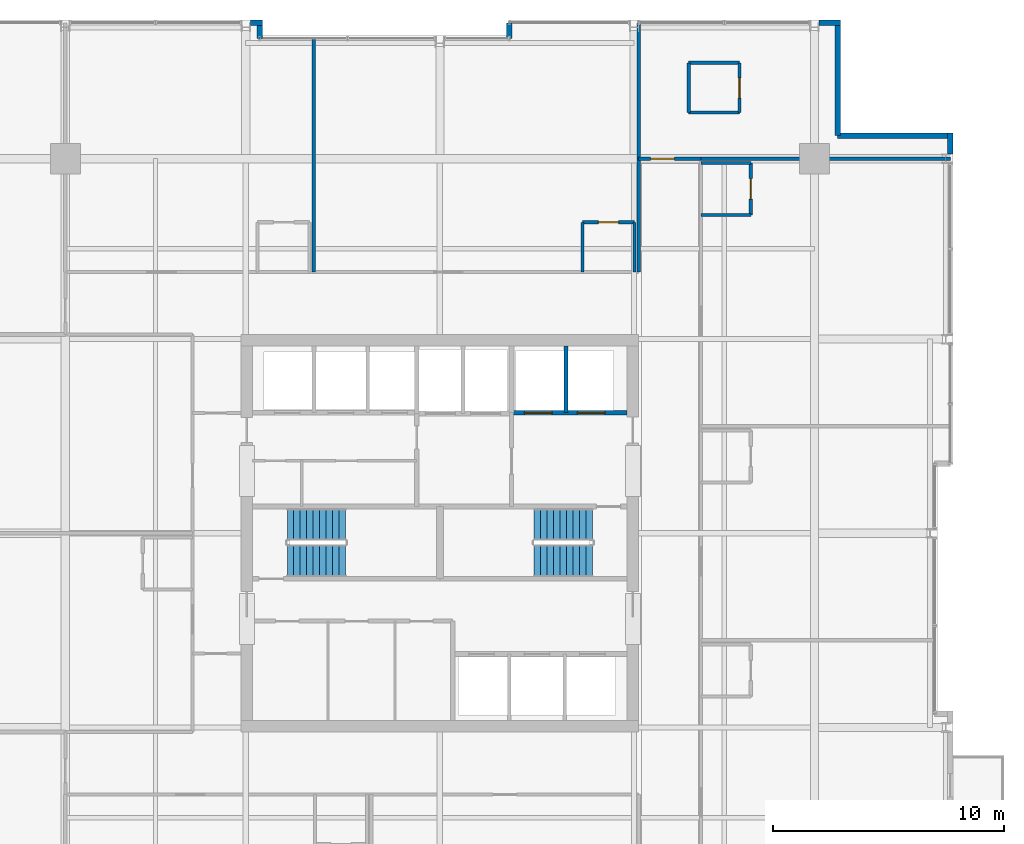
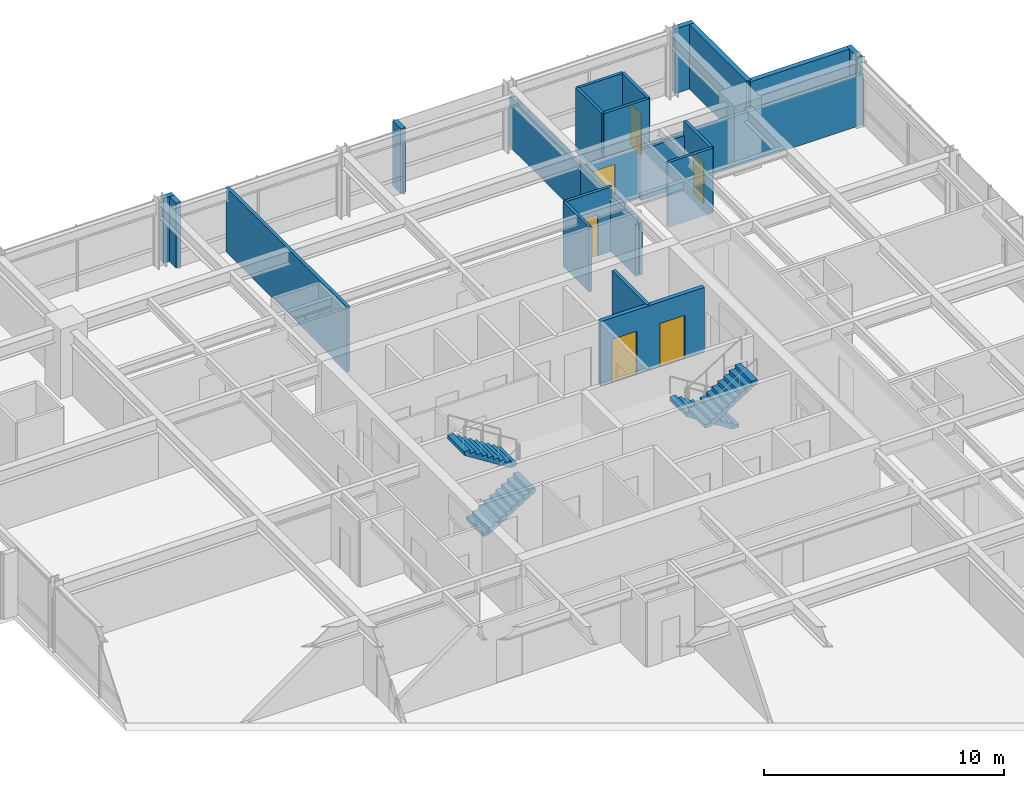
# One storey, part 30 of 32: 24 walls, 6 doors, 4 stair flights, 6 openings, 2 elements without a shape of their own.
"""IFC4 building model written with IfcOpenShell, lengths in metres."""

from ifc_helpers import new_model, si_unit, direction, frame, frame_2d, origin, place, context, subcontext, project, spatial, polyline, rectangle, outline, extrude, material, layer, layer_set, type_object, element, fill, aggregate, save


model = new_model("IFC4")

# Units and contexts
model_context = context("Model", 3, precision=1e-05, world=origin(), true_north=direction((0.0, 1.0)))
body_context = subcontext(model_context, "Body", "Model", "MODEL_VIEW")
ifc_project = project(units=[si_unit("LENGTHUNIT", "METRE"), si_unit("AREAUNIT", "SQUARE_METRE"), si_unit("VOLUMEUNIT", "CUBIC_METRE"), si_unit("PLANEANGLEUNIT", "RADIAN"), si_unit("MASSUNIT", "GRAM", prefix="KILO")], contexts=[model_context])

# Site, building, storey
site_placement = place(None, origin())
site = spatial("IfcSite", under=ifc_project, at=site_placement, CompositionType="ELEMENT")
building_placement = place(site_placement, origin())
building = spatial("IfcBuilding", under=site, at=building_placement, Name="Drelvath Grand Hotel", CompositionType="ELEMENT")
storey_placement = place(building_placement, frame((0.0, 0.0, 164.60009765625)))
storey = spatial("IfcBuildingStorey", under=building, at=storey_placement, Name="L42", CompositionType="ELEMENT", Elevation=164.60009765625)

# Wall, openings, doors
ifc_material_1 = material(Name="Concrete C40/50", Category="concrete")
ifc_layer_1 = layer(ifc_material_1, 0.199951171875)
ifc_layer_set_1 = layer_set([ifc_layer_1], Name="Concrete C40/50")
wall_type_1 = type_object("IfcWallType", Name="Core Hoistway Fire Wall 200", PredefinedType="SOLIDWALL", material=ifc_layer_set_1)
wall_1_placement = place(storey_placement, frame((3.10009765625, 32.219970703125, 0.0), z_axis=(0.0, 0.0, 1.0), x_axis=(1.0, 0.0, 0.0)))
wall_1 = element("IfcWall", 1, at=wall_1_placement, inside=storey, type_object=wall_type_1, Name="L42 FSAE Hoistway Front Wall", PredefinedType="SOLIDWALL", context=body_context, shape_type="SweptSolid", body=[
    extrude(rectangle(XDim=5.0, YDim=0.199951171875, at=frame_2d((2.5, 0.0))), origin(), (0.0, 0.0, 1.0), 3.289794921875),
])
opening_1_placement = place(wall_1_placement, frame((0.550048828125, 0.0, 0.0)))
opening_1 = element("IfcOpeningElement", 2, at=opening_1_placement, cuts=wall_1, Name="Opening LD-FSAE-1", PredefinedType="OPENING", context=body_context, shape_type="SweptSolid", body=[
    extrude(rectangle(XDim=1.199951171875, YDim=2.199951171875, at=frame_2d((0.60009765625, 1.10009765625))), frame((0.0, 0.10986328125, 0.0), z_axis=(0.0, -1.0, 0.0), x_axis=(1.0, 0.0, 0.0)), (0.0, 0.0, 1.0), 0.219970703125),
])
opening_2_placement = place(wall_1_placement, frame((2.85009765625, 0.0, 0.0)))
opening_2 = element("IfcOpeningElement", 3, at=opening_2_placement, cuts=wall_1, Name="Opening LD-FSAE-2", PredefinedType="OPENING", context=body_context, shape_type="SweptSolid", body=[
    extrude(rectangle(XDim=1.199951171875, YDim=2.199951171875, at=frame_2d((0.60009765625, 1.10009765625))), frame((0.0, 0.10986328125, 0.0), z_axis=(0.0, -1.0, 0.0), x_axis=(1.0, 0.0, 0.0)), (0.0, 0.0, 1.0), 0.219970703125),
])
ifc_material_2 = material(Name="Stainless Steel S355", Category="steel")
door_type_1 = type_object("IfcDoorType", Name="FSAE Lift Sliding Landing Door 1200x2200", OperationType="NOTDEFINED", PredefinedType="DOOR", material=ifc_material_2)
door_1_placement = place(opening_1_placement, origin())
door_1 = element("IfcDoor", 4, at=door_1_placement, inside=storey, type_object=door_type_1, Name="L42 Lift FSAE-1 Landing Door", OperationType="SLIDING_TO_LEFT", OverallHeight=2.199951171875, OverallWidth=1.199951171875, PredefinedType="DOOR", context=body_context, shape_type="SweptSolid", body=[
    extrude(rectangle(XDim=1.199951171875, YDim=2.199951171875, at=frame_2d((0.60009765625, 1.10009765625))), frame((0.0, 0.02490234375, 0.0), z_axis=(0.0, -1.0, 0.0), x_axis=(1.0, 0.0, 0.0)), (0.0, 0.0, 1.0), 0.050048828125),
])
fill(opening_1, door_1)
door_2_placement = place(opening_2_placement, origin())
door_2 = element("IfcDoor", 5, at=door_2_placement, inside=storey, type_object=door_type_1, Name="L42 Lift FSAE-2 Landing Door", OperationType="SLIDING_TO_LEFT", OverallHeight=2.199951171875, OverallWidth=1.199951171875, PredefinedType="DOOR", context=body_context, shape_type="SweptSolid", body=[
    extrude(rectangle(XDim=1.199951171875, YDim=2.199951171875, at=frame_2d((0.60009765625, 1.10009765625))), frame((0.0, 0.02490234375, 0.0), z_axis=(0.0, -1.0, 0.0), x_axis=(1.0, 0.0, 0.0)), (0.0, 0.0, 1.0), 0.050048828125),
])
fill(opening_2, door_2)

# Walls
ifc_material_3 = material(Name="Gypsum Fireboard Partition")
ifc_layer_2 = layer(ifc_material_3, 0.1650390625)
ifc_layer_set_2 = layer_set([ifc_layer_2], Name="Gypsum Fireboard Partition")
wall_type_2 = type_object("IfcWallType", Name="Core Shaft Partition 165", PredefinedType="PARTITIONING", material=ifc_layer_set_2)
wall_2_placement = place(storey_placement, frame((5.449951171875, 32.219970703125, 0.0), z_axis=(0.0, 0.0, 1.0), x_axis=(0.0, 1.0, 0.0)))
element("IfcWall", 6, at=wall_2_placement, inside=storey, type_object=wall_type_2, Name="L42 FSAE Hoistway Divider", PredefinedType="PARTITIONING", context=body_context, shape_type="SweptSolid", body=[
    extrude(rectangle(XDim=2.880126953125, YDim=0.1650390625, at=frame_2d((1.43994140625, 0.0))), origin(), (0.0, 0.0, 1.0), 3.289794921875),
])
ifc_layer_3 = layer(ifc_material_3, 0.135009765625)
ifc_layer_set_3 = layer_set([ifc_layer_3], Name="Gypsum Fireboard Partition")
wall_type_3 = type_object("IfcWallType", Name="Corridor Fire Barrier Wall 135", PredefinedType="PARTITIONING", material=ifc_layer_set_3)
wall_3_placement = place(storey_placement, frame((8.60009765625, 38.300048828125, 0.0), z_axis=(0.0, 0.0, 1.0), x_axis=(0.0, 1.0, 0.0)))
element("IfcWall", 7, at=wall_3_placement, inside=storey, type_object=wall_type_3, Name="L42 East Spine North Inner Wall", PredefinedType="PARTITIONING", context=body_context, shape_type="SweptSolid", body=[
    extrude(rectangle(XDim=4.89990234375, YDim=0.135009765625, at=frame_2d((2.449951171875, 0.0))), origin(), (0.0, 0.0, 1.0), 2.667236328125),
])

# Wall, opening, door
wall_4_placement = place(storey_placement, frame((8.60009765625, 43.199951171875, 0.0), z_axis=(0.0, 0.0, 1.0), x_axis=(1.0, 0.0, 0.0)))
wall_4 = element("IfcWall", 8, at=wall_4_placement, inside=storey, type_object=wall_type_3, Name="L42 East Spine North End", PredefinedType="PARTITIONING", context=body_context, shape_type="SweptSolid", body=[
    extrude(rectangle(XDim=2.699951171875, YDim=0.135009765625, at=frame_2d((1.35009765625, 0.0))), origin(), (0.0, 0.0, 1.0), 2.579345703125),
])
opening_3_placement = place(wall_4_placement, frame((0.52001953125, 0.0, 0.0)))
opening_3 = element("IfcOpeningElement", 9, at=opening_3_placement, cuts=wall_4, Name="Opening D-T3G2-033", PredefinedType="OPENING", context=body_context, shape_type="SweptSolid", body=[
    extrude(rectangle(XDim=1.02001953125, YDim=2.14990234375, at=frame_2d((0.510009765625, 1.074951171875))), frame((0.0, 0.077392578125, 0.0), z_axis=(0.0, -1.0, 0.0), x_axis=(1.0, 0.0, 0.0)), (0.0, 0.0, 1.0), 0.155029296875),
])
ifc_material_4 = material(Name="Hardwood Walnut Timber", Category="wood")
door_type_2 = type_object("IfcDoorType", Name="Amenity Meeting Fire Door 1020x2150", OperationType="NOTDEFINED", PredefinedType="DOOR", material=ifc_material_4)
door_3_placement = place(opening_3_placement, origin())
door_3 = element("IfcDoor", 10, at=door_3_placement, inside=storey, type_object=door_type_2, Name="L42 Executive Suite Entry Door", OperationType="SINGLE_SWING_LEFT", OverallHeight=2.14990234375, OverallWidth=1.02001953125, PredefinedType="DOOR", context=body_context, shape_type="SweptSolid", body=[
    extrude(rectangle(XDim=1.02001953125, YDim=2.14990234375, at=frame_2d((0.510009765625, 1.074951171875))), frame((0.0, 0.02490234375, 0.0), z_axis=(0.0, -1.0, 0.0), x_axis=(1.0, 0.0, 0.0)), (0.0, 0.0, 1.0), 0.050048828125),
])
fill(opening_3, door_3)

# Walls
ifc_material_5 = material(Name="Moisture-Resistant Gypsum Board")
ifc_layer_4 = layer(ifc_material_5, 0.139892578125)
ifc_layer_set_4 = layer_set([ifc_layer_4], Name="Moisture-Resistant Gypsum Board")
wall_type_4 = type_object("IfcWallType", Name="En-Suite Plumbing Wall 140", PredefinedType="PLUMBINGWALL", material=ifc_layer_set_4)
for number, where, z_axis, x_axis, name in (
    (11, (10.760009765625, 45.199951171875, 0.0), (0.0, 0.0, 1.0), (1.0, 0.0, 0.0), "L42 Corner En-Suite South"),
    (12, (10.760009765625, 47.35009765625, 0.0), (0.0, 0.0, 1.0), (1.0, 0.0, 0.0), "L42 Corner En-Suite North"),
):
    element("IfcWall", number, at=place(storey_placement, frame(where, z_axis=z_axis, x_axis=x_axis)), inside=storey, type_object=wall_type_4, Name=name, PredefinedType="PLUMBINGWALL", context=body_context, shape_type="SweptSolid", body=[
        extrude(rectangle(XDim=2.199951171875, YDim=0.139892578125, at=frame_2d((1.10009765625, 0.0))), origin(), (0.0, 0.0, 1.0), 3.289794921875),
    ])
wall_5_placement = place(storey_placement, frame((10.760009765625, 45.199951171875, 0.0), z_axis=(0.0, 0.0, 1.0), x_axis=(0.0, 1.0, 0.0)))
element("IfcWall", 13, at=wall_5_placement, inside=storey, type_object=wall_type_4, Name="L42 Corner En-Suite West", PredefinedType="PLUMBINGWALL", context=body_context, shape_type="SweptSolid", body=[
    extrude(rectangle(XDim=2.150146484375, YDim=0.139892578125, at=frame_2d((1.0751953125, 0.0))), origin(), (0.0, 0.0, 1.0), 3.289794921875),
])

# Wall, opening, door
wall_6_placement = place(storey_placement, frame((12.9599609375, 45.199951171875, 0.0), z_axis=(0.0, 0.0, 1.0), x_axis=(0.0, 1.0, 0.0)))
wall_6 = element("IfcWall", 14, at=wall_6_placement, inside=storey, type_object=wall_type_4, Name="L42 Corner En-Suite East", PredefinedType="PLUMBINGWALL", context=body_context, shape_type="SweptSolid", body=[
    extrude(rectangle(XDim=2.150146484375, YDim=0.139892578125, at=frame_2d((1.0751953125, 0.0))), origin(), (0.0, 0.0, 1.0), 3.289794921875),
])
opening_4_placement = place(wall_6_placement, frame((0.6201171875, 0.0, 0.0)))
opening_4 = element("IfcOpeningElement", 15, at=opening_4_placement, cuts=wall_6, Name="Opening D-T3G2-032", PredefinedType="OPENING", context=body_context, shape_type="SweptSolid", body=[
    extrude(rectangle(XDim=0.8798828125, YDim=2.10009765625, at=frame_2d((0.43994140625, 1.050048828125))), frame((0.0, 0.079833984375, 0.0), z_axis=(0.0, -1.0, 0.0), x_axis=(1.0, 0.0, 0.0)), (0.0, 0.0, 1.0), 0.159912109375),
])
door_type_3 = type_object("IfcDoorType", Name="En-Suite Bathroom Door 880x2100", OperationType="NOTDEFINED", PredefinedType="DOOR", material=ifc_material_4)
door_4_placement = place(opening_4_placement, origin())
door_4 = element("IfcDoor", 16, at=door_4_placement, inside=storey, type_object=door_type_3, Name="L42 Corner En-Suite Door", OperationType="SINGLE_SWING_RIGHT", OverallHeight=2.10009765625, OverallWidth=0.8798828125, PredefinedType="DOOR", context=body_context, shape_type="SweptSolid", body=[
    extrude(rectangle(XDim=0.8798828125, YDim=2.10009765625, at=frame_2d((0.43994140625, 1.050048828125))), frame((0.0, 0.02490234375, 0.0), z_axis=(0.0, -1.0, 0.0), x_axis=(1.0, 0.0, 0.0)), (0.0, 0.0, 1.0), 0.050048828125),
])
fill(opening_4, door_4)

# Walls
wall_7_placement = place(storey_placement, frame((6.169921875, 38.300048828125, 0.0), z_axis=(0.0, 0.0, 1.0), x_axis=(0.0, 1.0, 0.0)))
element("IfcWall", 17, at=wall_7_placement, inside=storey, type_object=wall_type_4, Name="L42 En-Suite Left Wall", PredefinedType="PLUMBINGWALL", context=body_context, shape_type="SweptSolid", body=[
    extrude(rectangle(XDim=2.14990234375, YDim=0.139892578125, at=frame_2d((1.074951171875, 0.0))), origin(), (0.0, 0.0, 1.0), 3.289794921875),
])
wall_8_placement = place(storey_placement, frame((8.419921875, 38.300048828125, 0.0), z_axis=(0.0, 0.0, 1.0), x_axis=(0.0, 1.0, 0.0)))
element("IfcWall", 18, at=wall_8_placement, inside=storey, type_object=wall_type_4, Name="L42 En-Suite Right Wall", PredefinedType="PLUMBINGWALL", context=body_context, shape_type="SweptSolid", body=[
    extrude(rectangle(XDim=2.14990234375, YDim=0.139892578125, at=frame_2d((1.074951171875, 0.0))), origin(), (0.0, 0.0, 1.0), 2.667236328125),
])

# Wall, opening, door
wall_9_placement = place(storey_placement, frame((6.169921875, 40.449951171875, 0.0), z_axis=(0.0, 0.0, 1.0), x_axis=(1.0, 0.0, 0.0)))
wall_9 = element("IfcWall", 19, at=wall_9_placement, inside=storey, type_object=wall_type_4, Name="L42 En-Suite Front Wall", PredefinedType="PLUMBINGWALL", context=body_context, shape_type="SweptSolid", body=[
    extrude(rectangle(XDim=2.25, YDim=0.139892578125, at=frame_2d((1.125, 0.0))), origin(), (0.0, 0.0, 1.0), 3.289794921875),
])
opening_5_placement = place(wall_9_placement, frame((0.68505859375, 0.0, 0.0)))
opening_5 = element("IfcOpeningElement", 20, at=opening_5_placement, cuts=wall_9, Name="Opening D-T3G2-039", PredefinedType="OPENING", context=body_context, shape_type="SweptSolid", body=[
    extrude(rectangle(XDim=0.8798828125, YDim=2.10009765625, at=frame_2d((0.43994140625, 1.050048828125))), frame((0.0, 0.079833984375, 0.0), z_axis=(0.0, -1.0, 0.0), x_axis=(1.0, 0.0, 0.0)), (0.0, 0.0, 1.0), 0.159912109375),
])
door_5_placement = place(opening_5_placement, origin())
door_5 = element("IfcDoor", 21, at=door_5_placement, inside=storey, type_object=door_type_3, Name="L42 En-Suite Bathroom Door", OperationType="SINGLE_SWING_LEFT", OverallHeight=2.10009765625, OverallWidth=0.8798828125, PredefinedType="DOOR", context=body_context, shape_type="SweptSolid", body=[
    extrude(rectangle(XDim=0.8798828125, YDim=2.10009765625, at=frame_2d((0.43994140625, 1.050048828125))), frame((0.0, 0.02490234375, 0.0), z_axis=(0.0, -1.0, 0.0), x_axis=(1.0, 0.0, 0.0)), (0.0, 0.0, 1.0), 0.050048828125),
])
fill(opening_5, door_5)

# Walls
wall_10_placement = place(storey_placement, frame((11.300048828125, 40.77001953125, 0.0), z_axis=(0.0, 0.0, 1.0), x_axis=(1.0, 0.0, 0.0)))
element("IfcWall", 22, at=wall_10_placement, inside=storey, type_object=wall_type_4, Name="L42 En-Suite Left Wall", PredefinedType="PLUMBINGWALL", context=body_context, shape_type="SweptSolid", body=[
    extrude(rectangle(XDim=2.14990234375, YDim=0.139892578125, at=frame_2d((1.074951171875, 0.0))), origin(), (0.0, 0.0, 1.0), 3.289794921875),
])
wall_11_placement = place(storey_placement, frame((11.300048828125, 43.02001953125, 0.0), z_axis=(0.0, 0.0, 1.0), x_axis=(1.0, 0.0, 0.0)))
element("IfcWall", 23, at=wall_11_placement, inside=storey, type_object=wall_type_4, Name="L42 En-Suite Right Wall", PredefinedType="PLUMBINGWALL", context=body_context, shape_type="SweptSolid", body=[
    extrude(rectangle(XDim=2.14990234375, YDim=0.139892578125, at=frame_2d((1.074951171875, 0.0))), origin(), (0.0, 0.0, 1.0), 2.579345703125),
])

# Wall, opening, door
wall_12_placement = place(storey_placement, frame((13.449951171875, 40.77001953125, 0.0), z_axis=(0.0, 0.0, 1.0), x_axis=(0.0, 1.0, 0.0)))
wall_12 = element("IfcWall", 24, at=wall_12_placement, inside=storey, type_object=wall_type_4, Name="L42 En-Suite Front Wall", PredefinedType="PLUMBINGWALL", context=body_context, shape_type="SweptSolid", body=[
    extrude(rectangle(XDim=2.25, YDim=0.139892578125, at=frame_2d((1.125, 0.0))), origin(), (0.0, 0.0, 1.0), 3.289794921875),
])
opening_6_placement = place(wall_12_placement, frame((0.68505859375, 0.0, 0.0)))
opening_6 = element("IfcOpeningElement", 25, at=opening_6_placement, cuts=wall_12, Name="Opening D-T3G2-045", PredefinedType="OPENING", context=body_context, shape_type="SweptSolid", body=[
    extrude(rectangle(XDim=0.8798828125, YDim=2.10009765625, at=frame_2d((0.43994140625, 1.050048828125))), frame((0.0, 0.079833984375, 0.0), z_axis=(0.0, -1.0, 0.0), x_axis=(1.0, 0.0, 0.0)), (0.0, 0.0, 1.0), 0.159912109375),
])
door_6_placement = place(opening_6_placement, origin())
door_6 = element("IfcDoor", 26, at=door_6_placement, inside=storey, type_object=door_type_3, Name="L42 En-Suite Bathroom Door", OperationType="SINGLE_SWING_LEFT", OverallHeight=2.10009765625, OverallWidth=0.8798828125, PredefinedType="DOOR", context=body_context, shape_type="SweptSolid", body=[
    extrude(rectangle(XDim=0.8798828125, YDim=2.10009765625, at=frame_2d((0.43994140625, 1.050048828125))), frame((0.0, 0.02490234375, 0.0), z_axis=(0.0, -1.0, 0.0), x_axis=(1.0, 0.0, 0.0)), (0.0, 0.0, 1.0), 0.050048828125),
])
fill(opening_6, door_6)

# Walls
ifc_material_6 = material(Name="Gypsum Acoustic Partition")
ifc_layer_5 = layer(ifc_material_6, 0.14990234375)
ifc_layer_set_5 = layer_set([ifc_layer_5], Name="Gypsum Acoustic Partition")
wall_type_5 = type_object("IfcWallType", Name="Guestroom Demising Wall 150", PredefinedType="PARTITIONING", material=ifc_layer_set_5)
wall_13_placement = place(storey_placement, frame((-5.453369140625, 38.300048828125, 0.0), z_axis=(0.0, 0.0, 1.0), x_axis=(0.0, 1.0, 0.0)))
element("IfcWall", 27, at=wall_13_placement, inside=storey, type_object=wall_type_5, Name="L42 North Demising 1", PredefinedType="PARTITIONING", context=body_context, shape_type="SweptSolid", body=[
    extrude(rectangle(XDim=10.099853515625, YDim=0.14990234375, at=frame_2d((5.0498046875, 0.0))), origin(), (0.0, 0.0, 1.0), 3.289794921875),
])
ifc_layer_6 = layer(ifc_material_6, 0.1650390625)
ifc_layer_set_6 = layer_set([ifc_layer_6], Name="Gypsum Acoustic Partition")
wall_type_6 = type_object("IfcWallType", Name="Suite Demising Wall 165", PredefinedType="PARTITIONING", material=ifc_layer_set_6)
wall_14_placement = place(storey_placement, frame((8.60009765625, 43.199951171875, 0.0), z_axis=(0.0, 0.0, 1.0), x_axis=(0.0, 1.0, 0.0)))
element("IfcWall", 28, at=wall_14_placement, inside=storey, type_object=wall_type_6, Name="L42 NE Suite West Wall", PredefinedType="PARTITIONING", context=body_context, shape_type="SweptSolid", body=[
    extrude(rectangle(XDim=5.880126953125, YDim=0.1650390625, at=frame_2d((2.93994140625, 0.0))), origin(), (0.0, 0.0, 1.0), 2.579345703125),
])
wall_15_placement = place(storey_placement, frame((11.300048828125, 43.199951171875, 0.0), z_axis=(0.0, 0.0, 1.0), x_axis=(1.0, 0.0, 0.0)))
element("IfcWall", 29, at=wall_15_placement, inside=storey, type_object=wall_type_6, Name="L42 NE Suite South Wall", PredefinedType="PARTITIONING", context=body_context, shape_type="SweptSolid", body=[
    extrude(rectangle(XDim=10.780029296875, YDim=0.1650390625, at=frame_2d((5.39013671875, 0.0))), origin(), (0.0, 0.0, 1.0), 2.579345703125),
])
ifc_material_7 = material(Name="Pale-Metal Insulated Aluminium Spandrel Assembly", Category="aluminium")
ifc_layer_7 = layer(ifc_material_7, 0.239990234375)
ifc_layer_set_7 = layer_set([ifc_layer_7], Name="Pale-Metal Insulated Aluminium Spandrel Assembly")
wall_type_7 = type_object("IfcWallType", Name="Tower Insulated Metal Spandrel Closure Wall 240", PredefinedType="STANDARD", material=ifc_layer_set_7)
wall_16_placement = place(storey_placement, frame((22.080078125, 44.320068359375, 0.0), z_axis=(0.0, 0.0, 1.0), x_axis=(0.0, -1.0, 0.0)))
element("IfcWall", 30, at=wall_16_placement, inside=storey, type_object=wall_type_7, Name="L42 Corner Pier Spandrel Wall EN3", PredefinedType="STANDARD", context=body_context, shape_type="SweptSolid", body=[
    extrude(rectangle(XDim=0.919921875, YDim=0.239990234375, at=frame_2d((0.4599609375, 0.0))), origin(), (0.0, 0.0, 1.0), 3.289794921875),
])
wall_17_placement = place(storey_placement, frame((-8.199951171875, 49.080078125, 0.0), z_axis=(0.0, 0.0, 1.0), x_axis=(1.0, 0.0, 0.0)))
element("IfcWall", 31, at=wall_17_placement, inside=storey, type_object=wall_type_7, Name="L42 Corner Pier Spandrel Wall NW3", PredefinedType="STANDARD", context=body_context, shape_type="SweptSolid", body=[
    extrude(rectangle(XDim=0.52001953125, YDim=0.239990234375, at=frame_2d((0.260009765625, 0.0))), origin(), (0.0, 0.0, 1.0), 3.289794921875),
])
wall_18_placement = place(storey_placement, frame((16.400146484375, 49.080078125, 0.0), z_axis=(0.0, 0.0, 1.0), x_axis=(1.0, 0.0, 0.0)))
element("IfcWall", 32, at=wall_18_placement, inside=storey, type_object=wall_type_7, Name="L42 Corner Pier Spandrel Wall NE3", PredefinedType="STANDARD", context=body_context, shape_type="SweptSolid", body=[
    extrude(rectangle(XDim=0.919921875, YDim=0.239990234375, at=frame_2d((0.4599609375, 0.0))), origin(), (0.0, 0.0, 1.0), 3.289794921875),
])
for number, where, z_axis, x_axis, name in (
    (33, (17.199951171875, 48.9599609375, 0.0), (0.0, 0.0, 1.0), (0.0, -1.0, 0.0), "L42 Notched Corner Return Spandrel Wall CNE1"),
    (34, (17.199951171875, 44.199951171875, 0.0), (0.0, 0.0, 1.0), (1.0, 0.0, 0.0), "L42 Notched Corner Return Spandrel Wall CNE2"),
):
    element("IfcWall", number, at=place(storey_placement, frame(where, z_axis=z_axis, x_axis=x_axis)), inside=storey, type_object=wall_type_7, Name=name, PredefinedType="STANDARD", context=body_context, shape_type="SweptSolid", body=[
        extrude(rectangle(XDim=4.760009765625, YDim=0.239990234375, at=frame_2d((2.3798828125, 0.0))), origin(), (0.0, 0.0, 1.0), 3.289794921875),
    ])
wall_19_placement = place(storey_placement, frame((-7.800048828125, 48.9599609375, 0.0), z_axis=(0.0, 0.0, 1.0), x_axis=(0.0, -1.0, 0.0)))
element("IfcWall", 35, at=wall_19_placement, inside=storey, type_object=wall_type_7, Name="L42 Notched Corner Return Spandrel Wall RN1", PredefinedType="STANDARD", context=body_context, shape_type="SweptSolid", body=[
    extrude(rectangle(XDim=0.56005859375, YDim=0.239990234375, at=frame_2d((0.280029296875, 0.0))), origin(), (0.0, 0.0, 1.0), 3.289794921875),
])
wall_20_placement = place(storey_placement, frame((3.0, 48.39990234375, 0.0), z_axis=(0.0, 0.0, 1.0), x_axis=(0.0, 1.0, 0.0)))
element("IfcWall", 36, at=wall_20_placement, inside=storey, type_object=wall_type_7, Name="L42 Notched Corner Return Spandrel Wall RN2", PredefinedType="STANDARD", context=body_context, shape_type="SweptSolid", body=[
    extrude(rectangle(XDim=0.68017578125, YDim=0.239990234375, at=frame_2d((0.340087890625, 0.0))), origin(), (0.0, 0.0, 1.0), 3.289794921875),
])

# Stair, stair flights
stair_type = type_object("IfcStairType", Name="Dogleg Exit Stair W1400-R177.5", PredefinedType="HALF_TURN_STAIR", material=ifc_material_1)
stair_1_placement = place(storey_placement, origin())
stair_1 = element("IfcStair", 37, at=stair_1_placement, inside=storey, type_object=stair_type, Name="L42 Core Exit Stair ST-1", PredefinedType="HALF_TURN_STAIR")
stair_flight_type = type_object("IfcStairFlightType", Name="Concrete Stair Flight W1400-R177.5", PredefinedType="STRAIGHT", material=ifc_material_1)
stair_flight_1_placement = place(storey_placement, frame((-6.60009765625, 25.820068359375, 0.0), z_axis=(0.0, 0.0, 1.0), x_axis=(1.0, 0.0, 0.0)))
stair_flight_1 = element("IfcStairFlight", 38, at=stair_flight_1_placement, type_object=stair_flight_type, Name="ST-1 flight 1", NumberOfRisers=10, NumberOfTreads=9, PredefinedType="STRAIGHT", RiserHeight=0.1775, TreadLength=0.28, context=body_context, shape_type="SweptSolid", body=[
    extrude(outline(polyline([(0.0, 0.0), (0.0, 0.177490234375), (0.280029296875, 0.177490234375), (0.280029296875, 0.35498046875), (0.56005859375, 0.35498046875), (0.56005859375, 0.532470703125), (0.840087890625, 0.532470703125), (0.840087890625, 0.7099609375), (1.1201171875, 0.7099609375), (1.1201171875, 0.887451171875), (1.39990234375, 0.887451171875), (1.39990234375, 1.06494140625), (1.679931640625, 1.06494140625), (1.679931640625, 1.242431640625), (1.9599609375, 1.242431640625), (1.9599609375, 1.419921875), (2.239990234375, 1.419921875), (2.239990234375, 1.597412109375), (2.52001953125, 1.597412109375), (2.52001953125, 1.77490234375), (2.52001953125, 1.408203125), (0.298583984375, 0.0), (0.0, 0.0)])), frame((0.0, 0.699951171875, 0.0), z_axis=(0.0, -1.0, 0.0), x_axis=(1.0, 0.0, 0.0)), (0.0, 0.0, 1.0), 1.39990234375),
])
stair_flight_2_placement = place(storey_placement, frame((-4.080078125, 27.3798828125, 1.77490234375), z_axis=(0.0, 0.0, 1.0), x_axis=(-1.0, 0.0, 0.0)))
stair_flight_2 = element("IfcStairFlight", 39, at=stair_flight_2_placement, type_object=stair_flight_type, Name="ST-1 flight 2", NumberOfRisers=10, NumberOfTreads=9, PredefinedType="STRAIGHT", RiserHeight=0.1775, TreadLength=0.28, context=body_context, shape_type="SweptSolid", body=[
    extrude(outline(polyline([(0.0, 0.0), (0.0, 0.177490234375), (0.280029296875, 0.177490234375), (0.280029296875, 0.35498046875), (0.56005859375, 0.35498046875), (0.56005859375, 0.532470703125), (0.840087890625, 0.532470703125), (0.840087890625, 0.7099609375), (1.1201171875, 0.7099609375), (1.1201171875, 0.887451171875), (1.39990234375, 0.887451171875), (1.39990234375, 1.06494140625), (1.679931640625, 1.06494140625), (1.679931640625, 1.242431640625), (1.9599609375, 1.242431640625), (1.9599609375, 1.419921875), (2.239990234375, 1.419921875), (2.239990234375, 1.597412109375), (2.52001953125, 1.597412109375), (2.52001953125, 1.77490234375), (2.52001953125, 1.408203125), (0.298583984375, 0.0), (0.0, 0.0)])), frame((0.0, 0.699951171875, 0.0), z_axis=(0.0, -1.0, 0.0), x_axis=(1.0, 0.0, 0.0)), (0.0, 0.0, 1.0), 1.39990234375),
])
aggregate(stair_1, [stair_flight_1, stair_flight_2])

stair_2_placement = place(storey_placement, origin())
stair_2 = element("IfcStair", 40, at=stair_2_placement, inside=storey, type_object=stair_type, Name="L42 Core Exit Stair ST-2", PredefinedType="HALF_TURN_STAIR")
stair_flight_3_placement = place(storey_placement, frame((6.60009765625, 27.3798828125, 0.0), z_axis=(0.0, 0.0, 1.0), x_axis=(-1.0, 0.0, 0.0)))
stair_flight_3 = element("IfcStairFlight", 41, at=stair_flight_3_placement, type_object=stair_flight_type, Name="ST-2 flight 1", NumberOfRisers=10, NumberOfTreads=9, PredefinedType="STRAIGHT", RiserHeight=0.1775, TreadLength=0.28, context=body_context, shape_type="SweptSolid", body=[
    extrude(outline(polyline([(0.0, 0.0), (0.0, 0.177490234375), (0.280029296875, 0.177490234375), (0.280029296875, 0.35498046875), (0.56005859375, 0.35498046875), (0.56005859375, 0.532470703125), (0.840087890625, 0.532470703125), (0.840087890625, 0.7099609375), (1.1201171875, 0.7099609375), (1.1201171875, 0.887451171875), (1.39990234375, 0.887451171875), (1.39990234375, 1.06494140625), (1.679931640625, 1.06494140625), (1.679931640625, 1.242431640625), (1.9599609375, 1.242431640625), (1.9599609375, 1.419921875), (2.239990234375, 1.419921875), (2.239990234375, 1.597412109375), (2.52001953125, 1.597412109375), (2.52001953125, 1.77490234375), (2.52001953125, 1.408203125), (0.298583984375, 0.0), (0.0, 0.0)])), frame((0.0, 0.699951171875, 0.0), z_axis=(0.0, -1.0, 0.0), x_axis=(1.0, 0.0, 0.0)), (0.0, 0.0, 1.0), 1.39990234375),
])
stair_flight_4_placement = place(storey_placement, frame((4.080078125, 25.820068359375, 1.77490234375), z_axis=(0.0, 0.0, 1.0), x_axis=(1.0, 0.0, 0.0)))
stair_flight_4 = element("IfcStairFlight", 42, at=stair_flight_4_placement, type_object=stair_flight_type, Name="ST-2 flight 2", NumberOfRisers=10, NumberOfTreads=9, PredefinedType="STRAIGHT", RiserHeight=0.1775, TreadLength=0.28, context=body_context, shape_type="SweptSolid", body=[
    extrude(outline(polyline([(0.0, 0.0), (0.0, 0.177490234375), (0.280029296875, 0.177490234375), (0.280029296875, 0.35498046875), (0.56005859375, 0.35498046875), (0.56005859375, 0.532470703125), (0.840087890625, 0.532470703125), (0.840087890625, 0.7099609375), (1.1201171875, 0.7099609375), (1.1201171875, 0.887451171875), (1.39990234375, 0.887451171875), (1.39990234375, 1.06494140625), (1.679931640625, 1.06494140625), (1.679931640625, 1.242431640625), (1.9599609375, 1.242431640625), (1.9599609375, 1.419921875), (2.239990234375, 1.419921875), (2.239990234375, 1.597412109375), (2.52001953125, 1.597412109375), (2.52001953125, 1.77490234375), (2.52001953125, 1.408203125), (0.298583984375, 0.0), (0.0, 0.0)])), frame((0.0, 0.699951171875, 0.0), z_axis=(0.0, -1.0, 0.0), x_axis=(1.0, 0.0, 0.0)), (0.0, 0.0, 1.0), 1.39990234375),
])
aggregate(stair_2, [stair_flight_3, stair_flight_4])

save(model, "model.ifc")
